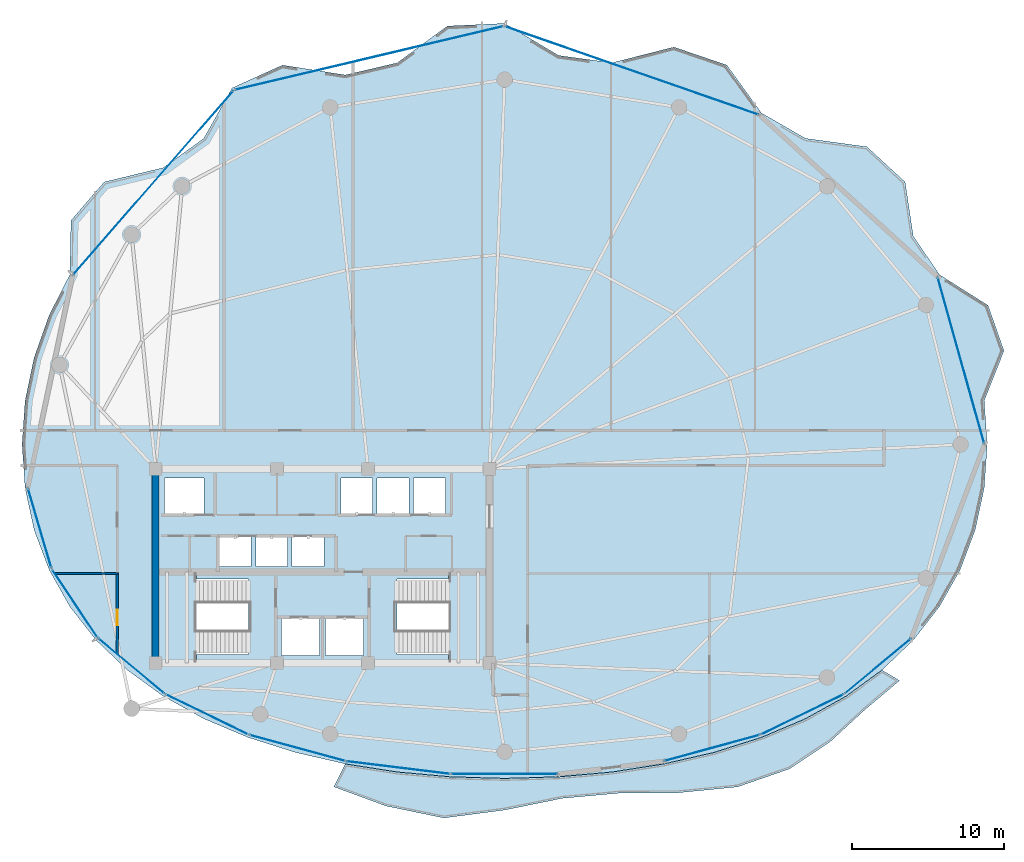
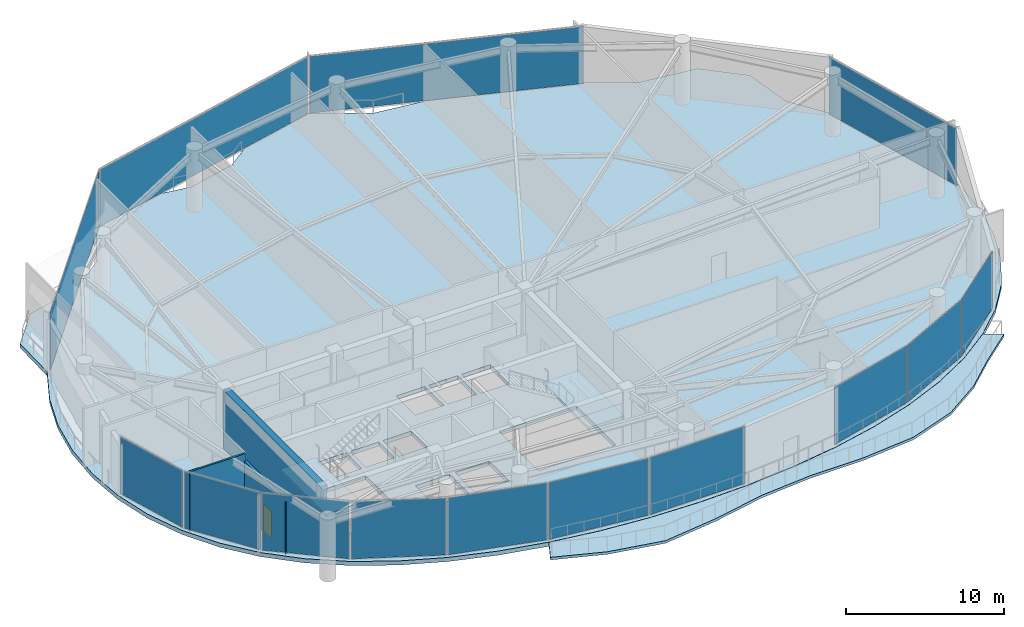
# One storey, part 22 of 28: 14 plates, 4 slabs, 3 walls, 1 door, 1 opening, 16 elements without a shape of their own.
"""IFC4 building model written with IfcOpenShell, lengths in metres."""

from ifc_helpers import new_model, si_unit, direction, frame, frame_2d, origin, origin_2d, place, context, subcontext, project, spatial, polyline, rectangle, outline, extrude, material, layer, layer_set, type_object, element, fill, aggregate, save


model = new_model("IFC4")

# Units and contexts
model_context = context("Model", 3, precision=1e-05, world=origin(), true_north=direction((0.0, 1.0)))
body_context = subcontext(model_context, "Body", "Model", "MODEL_VIEW")
ifc_project = project(units=[si_unit("LENGTHUNIT", "METRE"), si_unit("AREAUNIT", "SQUARE_METRE"), si_unit("VOLUMEUNIT", "CUBIC_METRE"), si_unit("PLANEANGLEUNIT", "RADIAN"), si_unit("MASSUNIT", "GRAM", prefix="KILO")], contexts=[model_context])

# Site, building, storey
site_placement = place(None, origin())
site = spatial("IfcSite", under=ifc_project, at=site_placement, CompositionType="ELEMENT")
building_placement = place(site_placement, origin())
building = spatial("IfcBuilding", under=site, at=building_placement, Name="Kazevale Care Tower and Concert Hall", CompositionType="ELEMENT")
storey_placement = place(building_placement, frame((0.0, 0.0, 190.800048828125)))
storey = spatial("IfcBuildingStorey", under=building, at=storey_placement, Name="L50", CompositionType="ELEMENT", Elevation=190.800048828125)

# Curtain wall, plate
ifc_material_1 = material(Name="Aluminium 6063-T6 and Low-E Glass", Category="aluminium")
ifc_layer_1 = layer(ifc_material_1, 0.179931640625)
ifc_layer_set_1 = layer_set([ifc_layer_1], Name="Aluminium 6063-T6 and Low-E Glass")
curtain_wall_type_1 = type_object("IfcCurtainWallType", Name="Convex Checkerboard Finned Curtain Wall CW-2", PredefinedType="NOTDEFINED", material=ifc_layer_set_1)
curtain_wall_1_placement = place(storey_placement, origin())
curtain_wall_1 = element("IfcCurtainWall", 1, at=curtain_wall_1_placement, inside=storey, type_object=curtain_wall_type_1, Name="cw:L50:f14", PredefinedType="NOTDEFINED")
ifc_material_2 = material(Name="Low-E Laminated Glass", Category="glass")
ifc_layer_2 = layer(ifc_material_2, 0.028076171875)
ifc_layer_set_2 = layer_set([ifc_layer_2], Name="Low-E Laminated Glass")
plate_type_1 = type_object("IfcPlateType", Name="CW-2 Low-E Glazing Panel 28mm", PredefinedType="CURTAIN_PANEL", material=ifc_layer_set_2)
plate_1_placement = place(storey_placement, frame((21.85009765625, 55.2529296875, 0.0751953125), z_axis=(0.0, 0.0, 1.0), x_axis=(0.657174776708, 0.753738225685, 0.0)))
plate_1 = element("IfcPlate", 2, at=plate_1_placement, type_object=plate_type_1, Name="CW-2 panel 1.1", PredefinedType="CURTAIN_PANEL", context=body_context, shape_type="SweptSolid", body=[
    extrude(rectangle(XDim=16.03662109375, YDim=0.028076171875, at=origin_2d()), origin(), (0.0, 0.0, 1.0), 4.409912109375),
])
aggregate(curtain_wall_1, [plate_1])

curtain_wall_2_placement = place(storey_placement, origin())
curtain_wall_2 = element("IfcCurtainWall", 3, at=curtain_wall_2_placement, inside=storey, type_object=curtain_wall_type_1, Name="cw:L50:f16", PredefinedType="NOTDEFINED")
plate_2_placement = place(storey_placement, frame((53.37451171875, 62.638427734375, 0.0751953125), z_axis=(0.0, 0.0, 1.0), x_axis=(0.94447485363, -0.328583704497, 0.0)))
plate_2 = element("IfcPlate", 4, at=plate_2_placement, type_object=plate_type_1, Name="CW-2 panel 1.1", PredefinedType="CURTAIN_PANEL", context=body_context, shape_type="SweptSolid", body=[
    extrude(rectangle(XDim=17.671142578125, YDim=0.028076171875, at=origin_2d()), origin(), (0.0, 0.0, 1.0), 4.409912109375),
])
aggregate(curtain_wall_2, [plate_2])

ifc_layer_3 = layer(ifc_material_1, 0.179931640625)
ifc_layer_set_3 = layer_set([ifc_layer_3], Name="Aluminium 6063-T6 and Low-E Glass")
curtain_wall_type_2 = type_object("IfcCurtainWallType", Name="Waist & Upper Residential Curtain Wall CW-4", PredefinedType="NOTDEFINED", material=ifc_layer_set_3)
curtain_wall_3_placement = place(storey_placement, origin())
curtain_wall_3 = element("IfcCurtainWall", 5, at=curtain_wall_3_placement, inside=storey, type_object=curtain_wall_type_2, Name="cw:L50:f11", PredefinedType="NOTDEFINED")
ifc_layer_4 = layer(ifc_material_2, 0.030029296875)
ifc_layer_set_4 = layer_set([ifc_layer_4], Name="Low-E Laminated Glass")
plate_type_2 = type_object("IfcPlateType", Name="CW-4 Low-E Glazing Panel 30mm", PredefinedType="CURTAIN_PANEL", material=ifc_layer_set_4)
plate_3_placement = place(storey_placement, frame((16.677978515625, 27.525390625, 0.080078125), z_axis=(0.0, 0.0, 1.0), x_axis=(-0.554616540853, 0.832106058512, 0.0)))
plate_3 = element("IfcPlate", 6, at=plate_3_placement, type_object=plate_type_2, Name="CW-4 panel 1.1", PredefinedType="CURTAIN_PANEL", context=body_context, shape_type="SweptSolid", body=[
    extrude(rectangle(XDim=5.357421875, YDim=0.030029296875, at=origin_2d()), origin(), (0.0, 0.0, 1.0), 4.39990234375),
])
aggregate(curtain_wall_3, [plate_3])

curtain_wall_4_placement = place(storey_placement, origin())
curtain_wall_4 = element("IfcCurtainWall", 7, at=curtain_wall_4_placement, inside=storey, type_object=curtain_wall_type_2, Name="cw:L50:f12", PredefinedType="NOTDEFINED")
plate_4_placement = place(storey_placement, frame((14.363525390625, 32.489013671875, 0.080078125), z_axis=(0.0, 0.0, 1.0), x_axis=(-0.282098184457, 0.959385539982, 0.0)))
plate_4 = element("IfcPlate", 8, at=plate_4_placement, type_object=plate_type_2, Name="CW-4 panel 1.1", PredefinedType="CURTAIN_PANEL", context=body_context, shape_type="SweptSolid", body=[
    extrude(rectangle(XDim=5.40185546875, YDim=0.030029296875, at=origin_2d()), origin(), (0.0, 0.0, 1.0), 4.39990234375),
])
aggregate(curtain_wall_4, [plate_4])

curtain_wall_5_placement = place(storey_placement, origin())
curtain_wall_5 = element("IfcCurtainWall", 9, at=curtain_wall_5_placement, inside=storey, type_object=curtain_wall_type_2, Name="cw:L50:f15", PredefinedType="NOTDEFINED")
plate_5_placement = place(storey_placement, frame((36.06298828125, 63.46240234375, 0.080078125), z_axis=(0.0, 0.0, 1.0), x_axis=(0.973086746233, 0.230439111929, 0.0)))
plate_5 = element("IfcPlate", 10, at=plate_5_placement, type_object=plate_type_2, Name="CW-4 panel 1.1", PredefinedType="CURTAIN_PANEL", context=body_context, shape_type="SweptSolid", body=[
    extrude(rectangle(XDim=18.11376953125, YDim=0.030029296875, at=origin_2d()), origin(), (0.0, 0.0, 1.0), 4.39990234375),
])
aggregate(curtain_wall_5, [plate_5])

curtain_wall_6_placement = place(storey_placement, origin())
curtain_wall_6 = element("IfcCurtainWall", 11, at=curtain_wall_6_placement, inside=storey, type_object=curtain_wall_type_2, Name="cw:L50:f18", PredefinedType="NOTDEFINED")
plate_6_placement = place(storey_placement, frame((75.071533203125, 43.531005859375, 0.080078125), z_axis=(0.0, 0.0, 1.0), x_axis=(0.269600864915, -0.962972156211, 0.0)))
plate_6 = element("IfcPlate", 12, at=plate_6_placement, type_object=plate_type_2, Name="CW-4 panel 1.1", PredefinedType="CURTAIN_PANEL", context=body_context, shape_type="SweptSolid", body=[
    extrude(rectangle(XDim=11.327392578125, YDim=0.030029296875, at=origin_2d()), origin(), (0.0, 0.0, 1.0), 4.39990234375),
])
aggregate(curtain_wall_6, [plate_6])

ifc_layer_5 = layer(ifc_material_1, 0.179931640625)
ifc_layer_set_5 = layer_set([ifc_layer_5], Name="Aluminium 6063-T6 and Low-E Glass")
curtain_wall_type_3 = type_object("IfcCurtainWallType", Name="Sheltered Concave Balcony Curtain Wall CW-5", PredefinedType="NOTDEFINED", material=ifc_layer_set_5)
curtain_wall_7_placement = place(storey_placement, origin())
curtain_wall_7 = element("IfcCurtainWall", 13, at=curtain_wall_7_placement, inside=storey, type_object=curtain_wall_type_3, Name="cw:L50:f02", PredefinedType="NOTDEFINED")
ifc_layer_6 = layer(ifc_material_2, 0.02587890625)
ifc_layer_set_6 = layer_set([ifc_layer_6], Name="Low-E Laminated Glass")
plate_type_3 = type_object("IfcPlateType", Name="CW-5 Low-E Glazing Panel 26mm", PredefinedType="CURTAIN_PANEL", material=ifc_layer_set_6)
plate_7_placement = place(storey_placement, frame((69.590576171875, 23.396484375, 0.0751953125), z_axis=(0.0, 0.0, 1.0), x_axis=(-0.768407210062, -0.639961217204, 0.0)))
plate_7 = element("IfcPlate", 14, at=plate_7_placement, type_object=plate_type_3, Name="CW-5 panel 1.1", PredefinedType="CURTAIN_PANEL", context=body_context, shape_type="SweptSolid", body=[
    extrude(rectangle(XDim=5.580078125, YDim=0.02587890625, at=origin_2d()), origin(), (0.0, 0.0, 1.0), 4.409912109375),
])
aggregate(curtain_wall_7, [plate_7])

curtain_wall_8_placement = place(storey_placement, origin())
curtain_wall_8 = element("IfcCurtainWall", 15, at=curtain_wall_8_placement, inside=storey, type_object=curtain_wall_type_3, Name="cw:L50:f03", PredefinedType="NOTDEFINED")
plate_8_placement = place(storey_placement, frame((64.62255859375, 20.218017578125, 0.0751953125), z_axis=(0.0, 0.0, 1.0), x_axis=(-0.89934566163, -0.437238357087, 0.0)))
plate_8 = element("IfcPlate", 16, at=plate_8_placement, type_object=plate_type_3, Name="CW-5 panel 1.1", PredefinedType="CURTAIN_PANEL", context=body_context, shape_type="SweptSolid", body=[
    extrude(rectangle(XDim=6.002197265625, YDim=0.02587890625, at=origin_2d()), origin(), (0.0, 0.0, 1.0), 4.409912109375),
])
aggregate(curtain_wall_8, [plate_8])

curtain_wall_9_placement = place(storey_placement, origin())
curtain_wall_9 = element("IfcCurtainWall", 17, at=curtain_wall_9_placement, inside=storey, type_object=curtain_wall_type_3, Name="cw:L50:f04", PredefinedType="NOTDEFINED")
plate_9_placement = place(storey_placement, frame((58.66259765625, 18.0029296875, 0.0751953125), z_axis=(0.0, 0.0, 1.0), x_axis=(-0.964836991167, -0.262848968947, 0.0)))
plate_9 = element("IfcPlate", 18, at=plate_9_placement, type_object=plate_type_3, Name="CW-5 panel 1.1", PredefinedType="CURTAIN_PANEL", context=body_context, shape_type="SweptSolid", body=[
    extrude(rectangle(XDim=6.4697265625, YDim=0.02587890625, at=origin_2d()), origin(), (0.0, 0.0, 1.0), 4.409912109375),
])
aggregate(curtain_wall_9, [plate_9])

curtain_wall_10_placement = place(storey_placement, origin())
curtain_wall_10 = element("IfcCurtainWall", 19, at=curtain_wall_10_placement, inside=storey, type_object=curtain_wall_type_3, Name="cw:L50:f06", PredefinedType="NOTDEFINED")
plate_10_placement = place(storey_placement, frame((45.0, 16.284912109375, 0.0751953125), z_axis=(0.0, 0.0, 1.0), x_axis=(-1.0, 0.0, 0.0)))
plate_10 = element("IfcPlate", 20, at=plate_10_placement, type_object=plate_type_3, Name="CW-5 panel 1.1", PredefinedType="CURTAIN_PANEL", context=body_context, shape_type="SweptSolid", body=[
    extrude(rectangle(XDim=6.949951171875, YDim=0.02587890625, at=origin_2d()), origin(), (0.0, 0.0, 1.0), 4.409912109375),
])
aggregate(curtain_wall_10, [plate_10])

curtain_wall_11_placement = place(storey_placement, origin())
curtain_wall_11 = element("IfcCurtainWall", 21, at=curtain_wall_11_placement, inside=storey, type_object=curtain_wall_type_3, Name="cw:L50:f07", PredefinedType="NOTDEFINED")
plate_11_placement = place(storey_placement, frame((37.990478515625, 16.708984375, 0.0751953125), z_axis=(0.0, 0.0, 1.0), x_axis=(-0.992572961225, 0.121650797964, 0.0)))
plate_11 = element("IfcPlate", 22, at=plate_11_placement, type_object=plate_type_3, Name="CW-5 panel 1.1", PredefinedType="CURTAIN_PANEL", context=body_context, shape_type="SweptSolid", body=[
    extrude(rectangle(XDim=6.82080078125, YDim=0.02587890625, at=origin_2d()), origin(), (0.0, 0.0, 1.0), 4.409912109375),
])
aggregate(curtain_wall_11, [plate_11])

curtain_wall_12_placement = place(storey_placement, origin())
curtain_wall_12 = element("IfcCurtainWall", 23, at=curtain_wall_12_placement, inside=storey, type_object=curtain_wall_type_3, Name="cw:L50:f08", PredefinedType="NOTDEFINED")
plate_12_placement = place(storey_placement, frame((31.33740234375, 18.0029296875, 0.0751953125), z_axis=(0.0, 0.0, 1.0), x_axis=(-0.964836991167, 0.262848968947, 0.0)))
plate_12 = element("IfcPlate", 24, at=plate_12_placement, type_object=plate_type_3, Name="CW-5 panel 1.1", PredefinedType="CURTAIN_PANEL", context=body_context, shape_type="SweptSolid", body=[
    extrude(rectangle(XDim=6.4697265625, YDim=0.02587890625, at=origin_2d()), origin(), (0.0, 0.0, 1.0), 4.409912109375),
])
aggregate(curtain_wall_12, [plate_12])

curtain_wall_13_placement = place(storey_placement, origin())
curtain_wall_13 = element("IfcCurtainWall", 25, at=curtain_wall_13_placement, inside=storey, type_object=curtain_wall_type_3, Name="cw:L50:f09", PredefinedType="NOTDEFINED")
plate_13_placement = place(storey_placement, frame((25.37744140625, 20.218017578125, 0.0751953125), z_axis=(0.0, 0.0, 1.0), x_axis=(-0.89934566163, 0.437238357087, 0.0)))
plate_13 = element("IfcPlate", 26, at=plate_13_placement, type_object=plate_type_3, Name="CW-5 panel 1.1", PredefinedType="CURTAIN_PANEL", context=body_context, shape_type="SweptSolid", body=[
    extrude(rectangle(XDim=6.002197265625, YDim=0.02587890625, at=origin_2d()), origin(), (0.0, 0.0, 1.0), 4.409912109375),
])
aggregate(curtain_wall_13, [plate_13])

curtain_wall_14_placement = place(storey_placement, origin())
curtain_wall_14 = element("IfcCurtainWall", 27, at=curtain_wall_14_placement, inside=storey, type_object=curtain_wall_type_3, Name="cw:L50:f10", PredefinedType="NOTDEFINED")
plate_14_placement = place(storey_placement, frame((20.409423828125, 23.396484375, 0.0751953125), z_axis=(0.0, 0.0, 1.0), x_axis=(-0.768407210062, 0.639961217204, 0.0)))
plate_14 = element("IfcPlate", 28, at=plate_14_placement, type_object=plate_type_3, Name="CW-5 panel 1.1", PredefinedType="CURTAIN_PANEL", context=body_context, shape_type="SweptSolid", body=[
    extrude(rectangle(XDim=5.580078125, YDim=0.02587890625, at=origin_2d()), origin(), (0.0, 0.0, 1.0), 4.409912109375),
])
aggregate(curtain_wall_14, [plate_14])

# Slab
ifc_material_3 = material(Name="Concrete C40", Category="concrete")
ifc_layer_7 = layer(ifc_material_3, 0.199951171875)
ifc_layer_set_7 = layer_set([ifc_layer_7], Name="Concrete C40")
slab_type_1 = type_object("IfcSlabType", Name="Sinusoidal Concave Balcony Slab 200", PredefinedType="USERDEFINED", material=ifc_layer_set_7)
slab_1_placement = place(storey_placement, frame((0.0, 0.0, -0.199951171875)))
element("IfcSlab", 29, at=slab_1_placement, inside=storey, type_object=slab_type_1, Name="slab:L50:bal", ObjectType="BALCONY", PredefinedType="USERDEFINED", context=body_context, shape_type="SweptSolid", body=[
    extrude(outline(polyline([(71.021240234375, 22.44384765625), (68.714599609375, 20.504150390625), (66.472900390625, 18.43408203125), (63.746826171875, 16.6181640625), (60.34375, 15.43994140625), (56.45263671875, 15.052978515625), (52.53369140625, 15.027099609375), (48.791259765625, 14.6865234375), (45.0, 13.91357421875), (40.998046875, 13.39111328125), (37.187744140625, 14.177734375), (33.743408203125, 15.446044921875), (34.494873046875, 16.951416015625), (34.49609375, 16.951171875), (37.923095703125, 16.417236328125), (41.439208984375, 16.10009765625), (45.0, 15.9951171875), (48.560791015625, 16.10009765625), (52.076904296875, 16.417236328125), (55.50390625, 16.951171875), (58.798828125, 17.708740234375), (61.92041015625, 18.69873046875), (64.8291015625, 19.92919921875), (67.48876953125, 21.406494140625), (69.865478515625, 23.133056640625), (69.86669921875, 23.13427734375), (71.021240234375, 22.44384765625)])), origin(), (0.0, 0.0, 1.0), 0.199951171875),
])

# Stair, slab
stair_type = type_object("IfcStairType", Name="Exit Stair Assembly ST1-S", PredefinedType="HALF_TURN_STAIR", material=ifc_material_3)
stair_1_placement = place(storey_placement, origin())
stair_1 = element("IfcStair", 30, at=stair_1_placement, inside=storey, type_object=stair_type, Name="stair:L50:ST1", PredefinedType="HALF_TURN_STAIR")
ifc_layer_8 = layer(ifc_material_3, 0.199951171875)
ifc_layer_set_8 = layer_set([ifc_layer_8], Name="Concrete C40")
slab_type_2 = type_object("IfcSlabType", Name="Stair Half-Landing Slab ST1-S", PredefinedType="LANDING", material=ifc_layer_set_8)
slab_2_placement = place(storey_placement, frame((0.0, 0.0, 2.199951171875)))
slab_2 = element("IfcSlab", 31, at=slab_2_placement, type_object=slab_type_2, Name="ST1-S landing 1", PredefinedType="LANDING", context=body_context, shape_type="SweptSolid", body=[
    extrude(outline(polyline([(22.050048828125, 23.699951171875), (24.68994140625, 23.699951171875), (24.68994140625, 29.5), (22.050048828125, 29.5), (22.050048828125, 23.699951171875)])), origin(), (0.0, 0.0, 1.0), 0.199951171875),
])
aggregate(stair_1, [slab_2])

stair_2_placement = place(storey_placement, origin())
stair_2 = element("IfcStair", 32, at=stair_2_placement, inside=storey, type_object=stair_type, Name="stair:L50:ST2", PredefinedType="HALF_TURN_STAIR")
slab_3_placement = place(storey_placement, frame((0.0, 0.0, 2.199951171875)))
slab_3 = element("IfcSlab", 33, at=slab_3_placement, type_object=slab_type_2, Name="ST1-S landing 1", PredefinedType="LANDING", context=body_context, shape_type="SweptSolid", body=[
    extrude(outline(polyline([(41.31005859375, 23.699951171875), (43.949951171875, 23.699951171875), (43.949951171875, 29.5), (41.31005859375, 29.5), (41.31005859375, 23.699951171875)])), origin(), (0.0, 0.0, 1.0), 0.199951171875),
])
aggregate(stair_2, [slab_3])

# Slab
ifc_material_4 = material(Name="Concrete C50", Category="concrete")
ifc_layer_9 = layer(ifc_material_4, 0.320068359375)
ifc_layer_set_9 = layer_set([ifc_layer_9], Name="Concrete C50")
slab_type_3 = type_object("IfcSlabType", Name="Transfer & Refuge Floor Slab 320", PredefinedType="FLOOR", material=ifc_layer_set_9)
slab_4_placement = place(storey_placement, frame((0.0, 0.0, -0.320068359375)))
element("IfcSlab", 34, at=slab_4_placement, inside=storey, type_object=slab_type_3, Name="slab:L50:tw:1", PredefinedType="FLOOR", context=body_context, shape_type="SweptSolid", body=[
    extrude(outline(polyline([(76.800048828125, 38.0), (76.60009765625, 40.888671875), (77.90380859375, 44.175048828125), (76.856201171875, 47.165283203125), (73.65087890625, 49.194091796875), (71.92578125, 51.726318359375), (71.38671875, 55.3017578125), (68.864990234375, 57.622314453125), (64.826904296875, 58.17138671875), (61.918701171875, 59.845458984375), (59.6435546875, 63.001953125), (56.14697265625, 64.19287109375), (52.076171875, 63.153076171875), (48.560546875, 63.6376953125), (45.0, 65.75), (41.22119140625, 65.575439453125), (37.923828125, 63.153076171875), (34.4970703125, 62.352294921875), (30.3564453125, 63.001953125), (27.0439453125, 61.49658203125), (25.173095703125, 58.17138671875), (22.513916015625, 56.243408203125), (18.61328125, 55.3017578125), (16.423095703125, 52.763916015625), (16.34912109375, 49.194091796875), (14.984619140625, 46.521240234375), (13.997314453125, 43.740966796875), (13.39990234375, 40.888671875), (13.199951171875, 38.0), (13.39990234375, 35.131103515625), (13.997314453125, 32.362060546875), (14.984619140625, 29.744873046875), (16.34912109375, 27.318115234375), (18.07421875, 25.109130859375), (20.1376953125, 23.13671875), (22.513916015625, 21.41064453125), (25.173095703125, 19.933837890625), (28.081298828125, 18.70361328125), (31.202392578125, 17.713623046875), (34.4970703125, 16.9560546875), (37.923828125, 16.422119140625), (41.439453125, 16.10498046875), (45.0, 16.0), (48.560546875, 16.10498046875), (52.076171875, 16.422119140625), (55.5029296875, 16.9560546875), (58.797607421875, 17.713623046875), (61.918701171875, 18.70361328125), (64.826904296875, 19.933837890625), (67.486083984375, 21.41064453125), (69.8623046875, 23.13671875), (71.92578125, 25.109130859375), (73.65087890625, 27.318115234375), (75.015380859375, 29.744873046875), (76.002685546875, 32.362060546875), (76.60009765625, 35.131103515625), (76.800048828125, 38.0)]), holes=[polyline([(22.449951171875, 24.14990234375), (28.110107421875, 24.14990234375), (28.110107421875, 29.14990234375), (22.449951171875, 29.14990234375), (22.449951171875, 24.14990234375)]), polyline([(37.889892578125, 24.14990234375), (43.550048828125, 24.14990234375), (43.550048828125, 29.14990234375), (37.889892578125, 29.14990234375), (37.889892578125, 24.14990234375)]), polyline([(30.300048828125, 24.10009765625), (32.800048828125, 24.10009765625), (32.800048828125, 26.60009765625), (30.300048828125, 26.60009765625), (30.300048828125, 24.10009765625)]), polyline([(33.199951171875, 24.10009765625), (35.699951171875, 24.10009765625), (35.699951171875, 26.60009765625), (33.199951171875, 26.60009765625), (33.199951171875, 24.10009765625)]), polyline([(22.60009765625, 33.39990234375), (25.199951171875, 33.39990234375), (25.199951171875, 35.800048828125), (22.60009765625, 35.800048828125), (22.60009765625, 33.39990234375)]), polyline([(34.199951171875, 33.39990234375), (36.300048828125, 33.39990234375), (36.300048828125, 35.800048828125), (34.199951171875, 35.800048828125), (34.199951171875, 33.39990234375)]), polyline([(36.60009765625, 33.39990234375), (38.699951171875, 33.39990234375), (38.699951171875, 35.800048828125), (36.60009765625, 35.800048828125), (36.60009765625, 33.39990234375)]), polyline([(39.0, 33.39990234375), (41.10009765625, 33.39990234375), (41.10009765625, 35.800048828125), (39.0, 35.800048828125), (39.0, 33.39990234375)]), polyline([(26.199951171875, 29.949951171875), (28.300048828125, 29.949951171875), (28.300048828125, 31.949951171875), (26.199951171875, 31.949951171875), (26.199951171875, 29.949951171875)]), polyline([(28.60009765625, 29.949951171875), (30.699951171875, 29.949951171875), (30.699951171875, 31.949951171875), (28.60009765625, 31.949951171875), (28.60009765625, 29.949951171875)]), polyline([(31.0, 29.949951171875), (33.10009765625, 29.949951171875), (33.10009765625, 31.949951171875), (31.0, 31.949951171875), (31.0, 29.949951171875)])]), origin(), (0.0, 0.0, 1.0), 0.320068359375),
])

# Walls
ifc_material_5 = material(Name="Acoustic Gypsum on Steel Stud", Category="steel")
ifc_layer_10 = layer(ifc_material_5, 0.139892578125)
ifc_layer_set_10 = layer_set([ifc_layer_10], Name="Acoustic Gypsum on Steel Stud")
wall_type_1 = type_object("IfcWallType", Name="Acoustic Care & Suite Partition 140", PredefinedType="PARTITIONING", material=ifc_layer_set_10)
wall_1_placement = place(storey_placement, frame((19.5048828125, 29.5, 0.0), z_axis=(0.0, 0.0, 1.0), x_axis=(-1.0, 0.0, 0.0)))
element("IfcWall", 35, at=wall_1_placement, inside=storey, type_object=wall_type_1, Name="wall:L50:auto_028", PredefinedType="PARTITIONING", context=body_context, shape_type="SweptSolid", body=[
    extrude(rectangle(XDim=4.1328125, YDim=0.139892578125, at=frame_2d((2.06640625, 0.0))), origin(), (0.0, 0.0, 1.0), 4.56005859375),
])
ifc_layer_11 = layer(ifc_material_4, 0.449951171875)
ifc_layer_set_11 = layer_set([ifc_layer_11], Name="Concrete C50")
wall_type_2 = type_object("IfcWallType", Name="Core Shear Wall 450 C50", PredefinedType="SHEAR", material=ifc_layer_set_11)
wall_2_placement = place(storey_placement, frame((22.0, 23.824951171875, 0.0), z_axis=(0.0, 0.0, 1.0), x_axis=(0.0, 1.0, 0.0)))
element("IfcWall", 36, at=wall_2_placement, inside=storey, type_object=wall_type_2, Name="wall:L50:core:W", PredefinedType="SHEAR", context=body_context, shape_type="SweptSolid", body=[
    extrude(rectangle(XDim=12.35009765625, YDim=0.449951171875, at=frame_2d((6.175048828125, 0.0))), origin(), (0.0, 0.0, 1.0), 4.56005859375),
])

# Wall, opening, door
ifc_material_6 = material(Name="Concrete C40 and Acoustic Gypsum", Category="concrete")
ifc_layer_12 = layer(ifc_material_6, 0.179931640625)
ifc_layer_set_12 = layer_set([ifc_layer_12], Name="Concrete C40 and Acoustic Gypsum")
wall_type_3 = type_object("IfcWallType", Name="Fire-Rated Corridor & Party Wall 180", PredefinedType="PARTITIONING", material=ifc_layer_set_12)
wall_3_placement = place(storey_placement, frame((19.47509765625, 24.184814453125, 0.0), z_axis=(0.0, 0.0, 1.0), x_axis=(0.0, 1.0, 0.0)))
wall_3 = element("IfcWall", 37, at=wall_3_placement, inside=storey, type_object=wall_type_3, Name="wall:L50:auto_016", PredefinedType="PARTITIONING", context=body_context, shape_type="SweptSolid", body=[
    extrude(rectangle(XDim=5.380126953125, YDim=0.179931640625, at=frame_2d((2.68994140625, 0.0))), origin(), (0.0, 0.0, 1.0), 4.016845703125),
])
opening_placement = place(wall_3_placement, frame((1.9169921875, 0.0, 0.0)))
opening = element("IfcOpeningElement", 38, at=opening_placement, cuts=wall_3, Name="Opening ID-1000", PredefinedType="OPENING", context=body_context, shape_type="SweptSolid", body=[
    extrude(rectangle(XDim=1.0, YDim=2.10009765625, at=frame_2d((0.5, 1.050048828125))), frame((0.0, 0.099853515625, 0.0), z_axis=(0.0, -1.0, 0.0), x_axis=(1.0, 0.0, 0.0)), (0.0, 0.0, 1.0), 0.199951171875),
])
ifc_material_7 = material(Name="Oak Timber Fire Leaf", Category="wood")
door_type = type_object("IfcDoorType", Name="Suite & Room Door 1000x2100", OperationType="NOTDEFINED", PredefinedType="DOOR", material=ifc_material_7)
door_placement = place(opening_placement, origin())
door = element("IfcDoor", 39, at=door_placement, inside=storey, type_object=door_type, Name="door:L50:ad_016", OperationType="SINGLE_SWING_LEFT", OverallHeight=2.10009765625, OverallWidth=1.0, PredefinedType="DOOR", context=body_context, shape_type="SweptSolid", body=[
    extrude(rectangle(XDim=1.0, YDim=2.10009765625, at=frame_2d((0.5, 1.050048828125))), frame((0.0, 0.02490234375, 0.0), z_axis=(0.0, -1.0, 0.0), x_axis=(1.0, 0.0, 0.0)), (0.0, 0.0, 1.0), 0.050048828125),
])
fill(opening, door)

save(model, "model.ifc")
